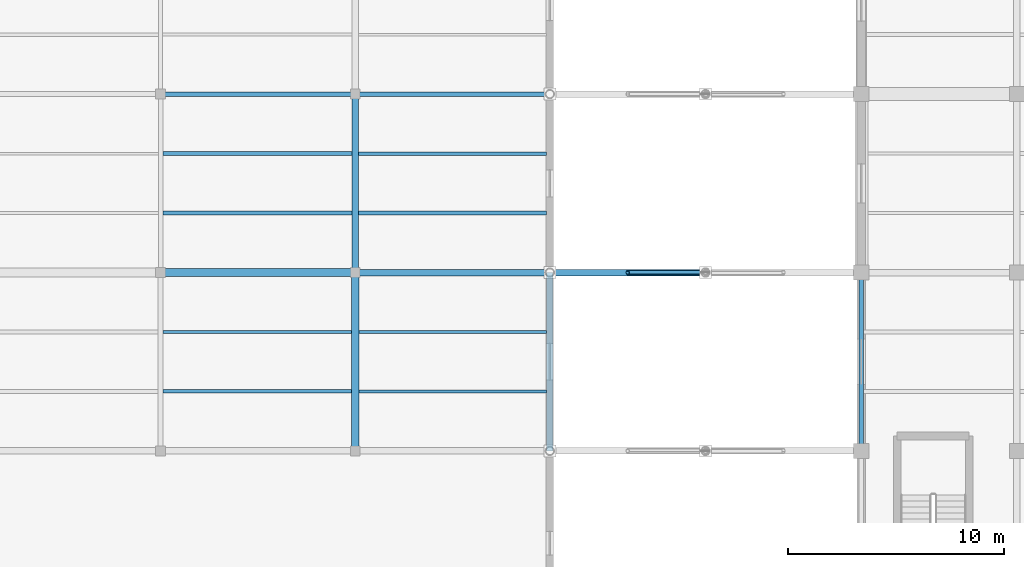
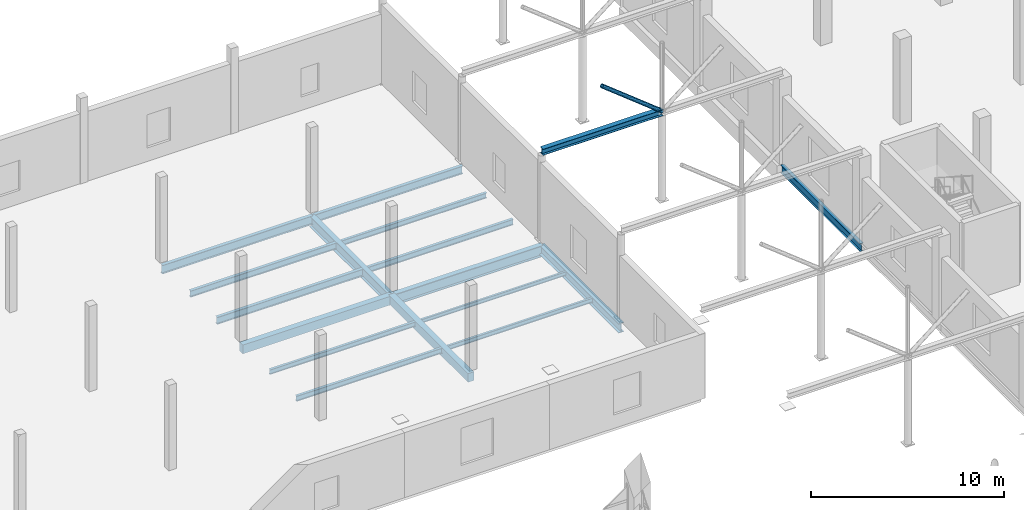
# One storey, part 68 of 147: 17 beams, 1 member.
"""IFC4 building model written with IfcOpenShell, lengths in metres."""

from ifc_helpers import new_model, si_unit, direction, frame, origin, origin_2d, place, context, subcontext, project, spatial, rectangle, hollow_circle, i_section, extrude, material, material_profile, profile_set, type_object, element, save


model = new_model("IFC4")

# Units and contexts
model_context = context("Model", 3, precision=1e-05, world=origin(), true_north=direction((0.0, 1.0)))
body_context = subcontext(model_context, "Body", "Model", "MODEL_VIEW")
ifc_project = project(units=[si_unit("LENGTHUNIT", "METRE"), si_unit("AREAUNIT", "SQUARE_METRE"), si_unit("VOLUMEUNIT", "CUBIC_METRE"), si_unit("PLANEANGLEUNIT", "RADIAN"), si_unit("MASSUNIT", "GRAM", prefix="KILO")], contexts=[model_context])

# Site, building, storey
site_placement = place(None, origin())
site = spatial("IfcSite", under=ifc_project, at=site_placement, CompositionType="ELEMENT")
building_placement = place(site_placement, origin())
building = spatial("IfcBuilding", under=site, at=building_placement, Name="Sundgate Opera House", CompositionType="ELEMENT")
storey_placement = place(building_placement, frame((0.0, 0.0, 6.0)))
storey = spatial("IfcBuildingStorey", under=building, at=storey_placement, Name="L01", CompositionType="ELEMENT", Elevation=6.0)

# Beams
ifc_material_1 = material(Name="Steel S355J2", Category="steel")
ifc_material_profile_1 = material_profile(ifc_material_1, i_section(OverallWidth=0.300048828125, OverallDepth=0.389892578125, WebThickness=0.010986328125, FlangeThickness=0.01904296875, at=origin_2d()), Name="HEA 400")
ifc_profile_set_1 = profile_set([ifc_material_profile_1], Name="Steel S355J2")
beam_type_1 = type_object("IfcBeamType", Name="BM-GR-HEA400", PredefinedType="BEAM", material=ifc_profile_set_1)
beam_1_placement = place(storey_placement, frame((81.0, 103.5, 5.5849609375), z_axis=(1.0, 0.0, 0.0), x_axis=(0.0, 1.0, 0.0)))
element("IfcBeam", 1, at=beam_1_placement, inside=storey, type_object=beam_type_1, Name="L01 Passage Arch Tie Beam B3415", PredefinedType="BEAM", context=body_context, shape_type="SweptSolid", body=[
    extrude(i_section(OverallWidth=0.300048828125, OverallDepth=0.389892578125, WebThickness=0.010986328125, FlangeThickness=0.01904296875, at=origin_2d()), origin(), (0.0, 0.0, 1.0), 7.199951171875),
])
ifc_material_2 = material(Name="Steel S355J2", Category="steel")
ifc_material_profile_2 = material_profile(ifc_material_2, i_section(OverallWidth=0.300048828125, OverallDepth=0.60009765625, WebThickness=0.015380859375, FlangeThickness=0.030029296875, at=origin_2d()), Name="HEB 600")
ifc_profile_set_2 = profile_set([ifc_material_profile_2], Name="Steel S355J2")
beam_type_2 = type_object("IfcBeamType", Name="BM-GR-HEB600", PredefinedType="BEAM", material=ifc_profile_set_2)
beam_2_placement = place(storey_placement, frame((81.0, 95.25, -0.60009765625), z_axis=(0.0, 1.0, 0.0), x_axis=(-1.0, 0.0, 0.0)))
element("IfcBeam", 2, at=beam_2_placement, inside=storey, type_object=beam_type_2, Name="L01 Primary N-S Girder B1140", PredefinedType="BEAM", context=body_context, shape_type="SweptSolid", body=[
    extrude(i_section(OverallWidth=0.300048828125, OverallDepth=0.60009765625, WebThickness=0.015380859375, FlangeThickness=0.030029296875, at=origin_2d()), origin(), (0.0, 0.0, 1.0), 8.25),
])
ifc_material_3 = material(Name="Steel S355J2", Category="steel")
ifc_material_profile_3 = material_profile(ifc_material_3, i_section(OverallWidth=0.300048828125, OverallDepth=0.699951171875, WebThickness=0.01708984375, FlangeThickness=0.031982421875, at=origin_2d()), Name="HEB 700")
ifc_profile_set_3 = profile_set([ifc_material_profile_3], Name="Steel S355J2")
beam_type_3 = type_object("IfcBeamType", Name="BM-GR-HEB700", PredefinedType="BEAM", material=ifc_profile_set_3)
beam_3_placement = place(storey_placement, frame((72.0, 103.5, -0.64990234375), z_axis=(0.0, 1.0, 0.0), x_axis=(-1.0, 0.0, 0.0)))
element("IfcBeam", 3, at=beam_3_placement, inside=storey, type_object=beam_type_3, Name="L01 Primary N-S Girder B1138", PredefinedType="BEAM", context=body_context, shape_type="SweptSolid", body=[
    extrude(i_section(OverallWidth=0.300048828125, OverallDepth=0.699951171875, WebThickness=0.01708984375, FlangeThickness=0.031982421875, at=origin_2d()), origin(), (0.0, 0.0, 1.0), 8.25),
])
beam_4_placement = place(storey_placement, frame((72.0, 103.5, -0.64990234375), z_axis=(1.0, 0.0, 0.0), x_axis=(0.0, 1.0, 0.0)))
element("IfcBeam", 4, at=beam_4_placement, inside=storey, type_object=beam_type_3, Name="L01 Primary E-W Girder B1424", PredefinedType="BEAM", context=body_context, shape_type="SweptSolid", body=[
    extrude(i_section(OverallWidth=0.300048828125, OverallDepth=0.699951171875, WebThickness=0.01708984375, FlangeThickness=0.031982421875, at=origin_2d()), origin(), (0.0, 0.0, 1.0), 9.0),
])
ifc_material_4 = material(Name="Steel S355J2", Category="steel")
ifc_material_profile_4 = material_profile(ifc_material_4, i_section(OverallWidth=0.199951171875, OverallDepth=0.5, WebThickness=0.01025390625, FlangeThickness=0.01611328125, at=origin_2d()), Name="IPE 500")
ifc_profile_set_4 = profile_set([ifc_material_profile_4], Name="Steel S355J2")
beam_type_4 = type_object("IfcBeamType", Name="BM-GR-IPE500", PredefinedType="BEAM", material=ifc_profile_set_4)
beam_5_placement = place(storey_placement, frame((95.39990234375, 95.25, -0.550048828125), z_axis=(0.0, 1.0, 0.0), x_axis=(-1.0, 0.0, 0.0)))
element("IfcBeam", 5, at=beam_5_placement, inside=storey, type_object=beam_type_4, Name="L01 Primary N-S Girder B1154", PredefinedType="BEAM", context=body_context, shape_type="SweptSolid", body=[
    extrude(i_section(OverallWidth=0.199951171875, OverallDepth=0.5, WebThickness=0.01025390625, FlangeThickness=0.01611328125, at=origin_2d()), origin(), (0.0, 0.0, 1.0), 8.25),
])
beam_6_placement = place(storey_placement, frame((72.0, 111.75, -0.550048828125), z_axis=(1.0, 0.0, 0.0), x_axis=(0.0, 1.0, 0.0)))
element("IfcBeam", 6, at=beam_6_placement, inside=storey, type_object=beam_type_4, Name="L01 Primary E-W Girder B1440", PredefinedType="BEAM", context=body_context, shape_type="SweptSolid", body=[
    extrude(i_section(OverallWidth=0.199951171875, OverallDepth=0.5, WebThickness=0.01025390625, FlangeThickness=0.01611328125, at=origin_2d()), origin(), (0.0, 0.0, 1.0), 9.0),
])
ifc_material_5 = material(Name="Steel S355J2", Category="steel")
ifc_material_profile_5 = material_profile(ifc_material_5, i_section(OverallWidth=0.2099609375, OverallDepth=0.550048828125, WebThickness=0.010986328125, FlangeThickness=0.01708984375, at=origin_2d()), Name="IPE 550")
ifc_profile_set_5 = profile_set([ifc_material_profile_5], Name="Steel S355J2")
beam_type_5 = type_object("IfcBeamType", Name="BM-GR-IPE550", PredefinedType="BEAM", material=ifc_profile_set_5)
beam_7_placement = place(storey_placement, frame((63.0, 111.75, -0.574951171875), z_axis=(1.0, 0.0, 0.0), x_axis=(0.0, 1.0, 0.0)))
element("IfcBeam", 7, at=beam_7_placement, inside=storey, type_object=beam_type_5, Name="L01 Primary E-W Girder B1439", PredefinedType="BEAM", context=body_context, shape_type="SweptSolid", body=[
    extrude(i_section(OverallWidth=0.2099609375, OverallDepth=0.550048828125, WebThickness=0.010986328125, FlangeThickness=0.01708984375, at=origin_2d()), origin(), (0.0, 0.0, 1.0), 9.0),
])
ifc_material_6 = material(Name="Steel S355J2", Category="steel")
ifc_material_profile_6 = material_profile(ifc_material_6, i_section(OverallWidth=0.1201171875, OverallDepth=0.239990234375, WebThickness=0.006103515625, FlangeThickness=0.009765625, at=origin_2d()), Name="IPE 240")
ifc_profile_set_6 = profile_set([ifc_material_profile_6], Name="Steel S355J2")
beam_type_6 = type_object("IfcBeamType", Name="BM-JS-IPE240", PredefinedType="JOIST", material=ifc_profile_set_6)
beam_8_placement = place(storey_placement, frame((72.175048828125, 100.75, -0.419921875), z_axis=(1.0, 0.0, 0.0), x_axis=(0.0, 1.0, 0.0)))
element("IfcBeam", 8, at=beam_8_placement, inside=storey, type_object=beam_type_6, Name="L01 Secondary Floor Joist B1693", PredefinedType="JOIST", context=body_context, shape_type="SweptSolid", body=[
    extrude(i_section(OverallWidth=0.1201171875, OverallDepth=0.239990234375, WebThickness=0.006103515625, FlangeThickness=0.009765625, at=origin_2d()), origin(), (0.0, 0.0, 1.0), 8.675048828125),
])
ifc_material_7 = material(Name="Steel S355J2", Category="steel")
ifc_material_profile_7 = material_profile(ifc_material_7, i_section(OverallWidth=0.135009765625, OverallDepth=0.27001953125, WebThickness=0.006591796875, FlangeThickness=0.01025390625, at=origin_2d()), Name="IPE 270")
ifc_profile_set_7 = profile_set([ifc_material_profile_7], Name="Steel S355J2")
beam_type_7 = type_object("IfcBeamType", Name="BM-JS-IPE270", PredefinedType="JOIST", material=ifc_profile_set_7)
beam_9_placement = place(storey_placement, frame((72.175048828125, 98.0, -0.43505859375), z_axis=(1.0, 0.0, 0.0), x_axis=(0.0, 1.0, 0.0)))
element("IfcBeam", 9, at=beam_9_placement, inside=storey, type_object=beam_type_7, Name="L01 Secondary Floor Joist B1692", PredefinedType="JOIST", context=body_context, shape_type="SweptSolid", body=[
    extrude(i_section(OverallWidth=0.135009765625, OverallDepth=0.27001953125, WebThickness=0.006591796875, FlangeThickness=0.01025390625, at=origin_2d()), origin(), (0.0, 0.0, 1.0), 8.675048828125),
])
ifc_material_8 = material(Name="Steel S355J2", Category="steel")
ifc_material_profile_8 = material_profile(ifc_material_8, i_section(OverallWidth=0.14990234375, OverallDepth=0.300048828125, WebThickness=0.007080078125, FlangeThickness=0.0107421875, at=origin_2d()), Name="IPE 300")
ifc_profile_set_8 = profile_set([ifc_material_profile_8], Name="Steel S355J2")
beam_type_8 = type_object("IfcBeamType", Name="BM-JS-IPE300", PredefinedType="JOIST", material=ifc_profile_set_8)
beam_10_placement = place(storey_placement, frame((63.110107421875, 100.75, -0.449951171875), z_axis=(1.0, 0.0, 0.0), x_axis=(0.0, 1.0, 0.0)))
element("IfcBeam", 10, at=beam_10_placement, inside=storey, type_object=beam_type_8, Name="L01 Secondary Floor Joist B1691", PredefinedType="JOIST", context=body_context, shape_type="SweptSolid", body=[
    extrude(i_section(OverallWidth=0.14990234375, OverallDepth=0.300048828125, WebThickness=0.007080078125, FlangeThickness=0.0107421875, at=origin_2d()), origin(), (0.0, 0.0, 1.0), 8.71484375),
])
ifc_material_9 = material(Name="Steel S355J2", Category="steel")
ifc_material_profile_9 = material_profile(ifc_material_9, i_section(OverallWidth=0.159912109375, OverallDepth=0.330078125, WebThickness=0.007568359375, FlangeThickness=0.011474609375, at=origin_2d()), Name="IPE 330")
ifc_profile_set_9 = profile_set([ifc_material_profile_9], Name="Steel S355J2")
beam_type_9 = type_object("IfcBeamType", Name="BM-JS-IPE330", PredefinedType="JOIST", material=ifc_profile_set_9)
beam_11_placement = place(storey_placement, frame((63.110107421875, 98.0, -0.465087890625), z_axis=(1.0, 0.0, 0.0), x_axis=(0.0, 1.0, 0.0)))
element("IfcBeam", 11, at=beam_11_placement, inside=storey, type_object=beam_type_9, Name="L01 Secondary Floor Joist B1690", PredefinedType="JOIST", context=body_context, shape_type="SweptSolid", body=[
    extrude(i_section(OverallWidth=0.159912109375, OverallDepth=0.330078125, WebThickness=0.007568359375, FlangeThickness=0.011474609375, at=origin_2d()), origin(), (0.0, 0.0, 1.0), 8.71484375),
])
beam_12_placement = place(storey_placement, frame((72.14990234375, 109.0, -0.465087890625), z_axis=(1.0, 0.0, 0.0), x_axis=(0.0, 1.0, 0.0)))
element("IfcBeam", 12, at=beam_12_placement, inside=storey, type_object=beam_type_9, Name="L01 Secondary Floor Joist B1725", PredefinedType="JOIST", context=body_context, shape_type="SweptSolid", body=[
    extrude(i_section(OverallWidth=0.159912109375, OverallDepth=0.330078125, WebThickness=0.007568359375, FlangeThickness=0.011474609375, at=origin_2d()), origin(), (0.0, 0.0, 1.0), 8.7001953125),
])
ifc_material_10 = material(Name="Steel S355J2", Category="steel")
ifc_material_profile_10 = material_profile(ifc_material_10, i_section(OverallWidth=0.169921875, OverallDepth=0.360107421875, WebThickness=0.008056640625, FlangeThickness=0.0126953125, at=origin_2d()), Name="IPE 360")
ifc_profile_set_10 = profile_set([ifc_material_profile_10], Name="Steel S355J2")
beam_type_10 = type_object("IfcBeamType", Name="BM-JS-IPE360", PredefinedType="JOIST", material=ifc_profile_set_10)
beam_13_placement = place(storey_placement, frame((72.14990234375, 106.25, -0.47998046875), z_axis=(1.0, 0.0, 0.0), x_axis=(0.0, 1.0, 0.0)))
element("IfcBeam", 13, at=beam_13_placement, inside=storey, type_object=beam_type_10, Name="L01 Secondary Floor Joist B1724", PredefinedType="JOIST", context=body_context, shape_type="SweptSolid", body=[
    extrude(i_section(OverallWidth=0.169921875, OverallDepth=0.360107421875, WebThickness=0.008056640625, FlangeThickness=0.0126953125, at=origin_2d()), origin(), (0.0, 0.0, 1.0), 8.7001953125),
])
ifc_material_11 = material(Name="Steel S355J2", Category="steel")
ifc_material_profile_11 = material_profile(ifc_material_11, i_section(OverallWidth=0.179931640625, OverallDepth=0.39990234375, WebThickness=0.008544921875, FlangeThickness=0.013427734375, at=origin_2d()), Name="IPE 400")
ifc_profile_set_11 = profile_set([ifc_material_profile_11], Name="Steel S355J2")
beam_type_11 = type_object("IfcBeamType", Name="BM-JS-IPE400", PredefinedType="JOIST", material=ifc_profile_set_11)
beam_14_placement = place(storey_placement, frame((63.10498046875, 109.0, -0.5), z_axis=(1.0, 0.0, 0.0), x_axis=(0.0, 1.0, 0.0)))
element("IfcBeam", 14, at=beam_14_placement, inside=storey, type_object=beam_type_11, Name="L01 Secondary Floor Joist B1723", PredefinedType="JOIST", context=body_context, shape_type="SweptSolid", body=[
    extrude(i_section(OverallWidth=0.179931640625, OverallDepth=0.39990234375, WebThickness=0.008544921875, FlangeThickness=0.013427734375, at=origin_2d()), origin(), (0.0, 0.0, 1.0), 8.7451171875),
])
ifc_material_12 = material(Name="Steel S355J2", Category="steel")
ifc_material_profile_12 = material_profile(ifc_material_12, i_section(OverallWidth=0.18994140625, OverallDepth=0.449951171875, WebThickness=0.009521484375, FlangeThickness=0.0146484375, at=origin_2d()), Name="IPE 450")
ifc_profile_set_12 = profile_set([ifc_material_profile_12], Name="Steel S355J2")
beam_type_12 = type_object("IfcBeamType", Name="BM-JS-IPE450", PredefinedType="JOIST", material=ifc_profile_set_12)
beam_15_placement = place(storey_placement, frame((63.10498046875, 106.25, -0.52490234375), z_axis=(1.0, 0.0, 0.0), x_axis=(0.0, 1.0, 0.0)))
element("IfcBeam", 15, at=beam_15_placement, inside=storey, type_object=beam_type_12, Name="L01 Secondary Floor Joist B1722", PredefinedType="JOIST", context=body_context, shape_type="SweptSolid", body=[
    extrude(i_section(OverallWidth=0.18994140625, OverallDepth=0.449951171875, WebThickness=0.009521484375, FlangeThickness=0.0146484375, at=origin_2d()), origin(), (0.0, 0.0, 1.0), 8.7451171875),
])
ifc_material_13 = material(Name="Concrete C35/45", Category="concrete")
ifc_material_profile_13 = material_profile(ifc_material_13, rectangle(XDim=0.35009765625, YDim=0.550048828125, at=origin_2d()), Name="RC 350x550")
ifc_profile_set_13 = profile_set([ifc_material_profile_13], Name="Concrete C35/45")
beam_type_13 = type_object("IfcBeamType", Name="BM-RC-350x550", PredefinedType="BEAM", material=ifc_profile_set_13)
beam_16_placement = place(storey_placement, frame((72.0, 95.25, -0.574951171875), z_axis=(0.0, 1.0, 0.0), x_axis=(-1.0, 0.0, 0.0)))
element("IfcBeam", 16, at=beam_16_placement, inside=storey, type_object=beam_type_13, Name="L01 Primary N-S Girder B1137", PredefinedType="BEAM", context=body_context, shape_type="SweptSolid", body=[
    extrude(rectangle(XDim=0.35009765625, YDim=0.550048828125, at=origin_2d()), origin(), (0.0, 0.0, 1.0), 8.25),
])
beam_17_placement = place(storey_placement, frame((63.0, 103.5, -0.574951171875), z_axis=(1.0, 0.0, 0.0), x_axis=(0.0, 1.0, 0.0)))
element("IfcBeam", 17, at=beam_17_placement, inside=storey, type_object=beam_type_13, Name="L01 Primary E-W Girder B1423", PredefinedType="BEAM", context=body_context, shape_type="SweptSolid", body=[
    extrude(rectangle(XDim=0.35009765625, YDim=0.550048828125, at=origin_2d()), origin(), (0.0, 0.0, 1.0), 9.0),
])

# Member
ifc_material_14 = material(Name="Steel S355J2", Category="steel")
ifc_material_profile_14 = material_profile(ifc_material_14, hollow_circle(Radius=0.122314453125, WallThickness=0.012451171875, at=origin_2d()), Name="CHS 244.5x12.5")
ifc_profile_set_14 = profile_set([ifc_material_profile_14], Name="Steel S355J2")
member_type = type_object("IfcMemberType", Name="MB-STRUT-CHS244", PredefinedType="STRUT", material=ifc_profile_set_14)
member_placement = place(storey_placement, frame((88.199951171875, 103.5, 5.594970703125), z_axis=(-0.78350570776, 0.0, 0.621384587762), x_axis=(0.0, -1.0, 0.0)))
element("IfcMember", 18, at=member_placement, inside=storey, type_object=member_type, Name="Passage Arch Spandrel Strut M0360", PredefinedType="STRUT", context=body_context, shape_type="SweptSolid", body=[
    extrude(hollow_circle(Radius=0.122314453125, WallThickness=0.012451171875, at=origin_2d()), origin(), (0.0, 0.0, 1.0), 4.594482421875),
])

save(model, "model.ifc")
